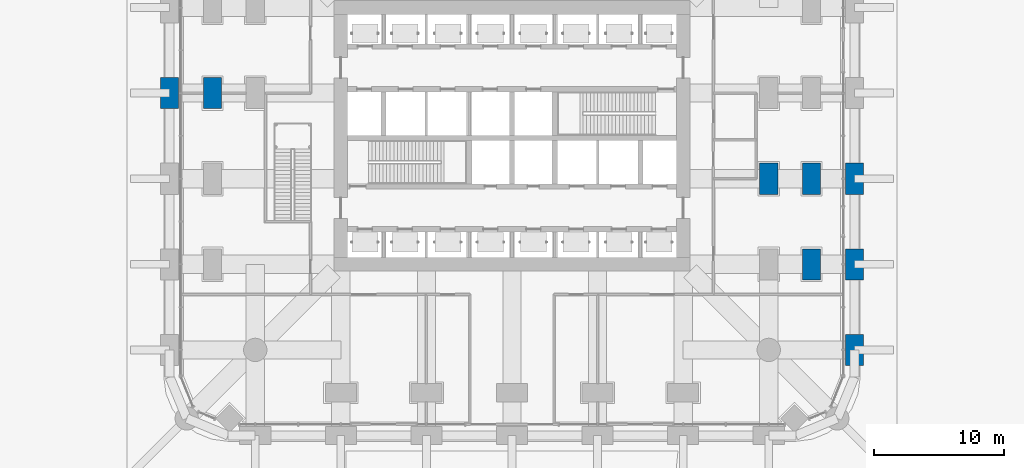
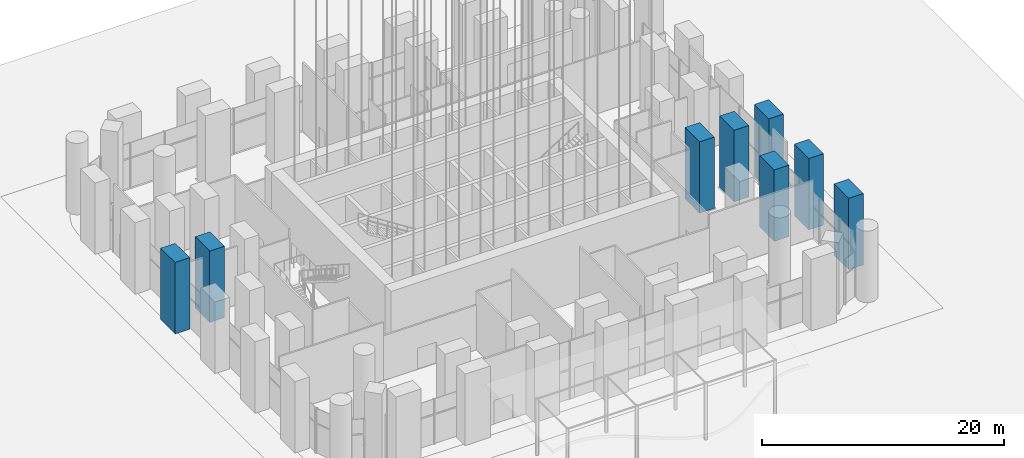
# One storey, part 5 of 32: 8 columns.
"""IFC4 building model written with IfcOpenShell, lengths in metres."""

from ifc_helpers import new_model, si_unit, direction, frame, origin, origin_2d, place, context, subcontext, project, spatial, rectangle, extrude, material, material_profile, profile_set, type_object, element, save


model = new_model("IFC4")

# Units and contexts
model_context = context("Model", 3, precision=1e-05, world=origin(), true_north=direction((0.0, 1.0)))
body_context = subcontext(model_context, "Body", "Model", "MODEL_VIEW")
ifc_project = project(units=[si_unit("LENGTHUNIT", "METRE"), si_unit("AREAUNIT", "SQUARE_METRE"), si_unit("VOLUMEUNIT", "CUBIC_METRE"), si_unit("PLANEANGLEUNIT", "RADIAN"), si_unit("MASSUNIT", "GRAM", prefix="KILO")], contexts=[model_context])

# Site, building, storey
site_placement = place(None, origin())
site = spatial("IfcSite", under=ifc_project, at=site_placement, CompositionType="ELEMENT")
building_placement = place(site_placement, origin())
building = spatial("IfcBuilding", under=site, at=building_placement, Name="Cobogo Forest Laboratory Tower", CompositionType="ELEMENT")
storey_placement = place(building_placement, origin())
storey = spatial("IfcBuildingStorey", under=building, at=storey_placement, Name="L00", CompositionType="ELEMENT", Elevation=0.0)

# Columns
ifc_material = material(Name="Concrete HA-50 (C50/60)", Category="concrete")
ifc_material_profile = material_profile(ifc_material, rectangle(XDim=2.39990234375, YDim=1.39990234375, at=origin_2d()), Name="RC 1400x2400")
ifc_profile_set = profile_set([ifc_material_profile], Name="Concrete HA-50 (C50/60)")
column_type = type_object("IfcColumnType", Name="Blade column 1400x2400", PredefinedType="COLUMN", material=ifc_profile_set)
for number, where, z_axis, x_axis, name in (
    (1, (52.800048828125, 6.60009765625, 0.0), (0.0, 0.0, 1.0), (0.0, 1.0, 0.0), "Column 9-B L00"),
    (2, (52.800048828125, 13.199951171875, 0.0), (0.0, 0.0, 1.0), (0.0, 1.0, 0.0), "Column 9-C L00"),
    (3, (52.800048828125, 19.800048828125, 0.0), (0.0, 0.0, 1.0), (0.0, 1.0, 0.0), "Column 9-D L00"),
    (4, (0.0, 26.39990234375, 0.0), (0.0, 0.0, 1.0), (0.0, 1.0, 0.0), "Column 1-E L00"),
    (5, (49.5, 13.199951171875, 0.0), (0.0, 0.0, 1.0), (0.0, 1.0, 0.0), "Column 8.1-C-B L00"),
    (6, (49.5, 19.800048828125, 0.0), (0.0, 0.0, 1.0), (0.0, 1.0, 0.0), "Column 8.1-D-B L00"),
    (7, (3.300048828125, 26.39990234375, 0.0), (0.0, 0.0, 1.0), (0.0, 1.0, 0.0), "Column 1.1-E-B L00"),
    (8, (46.199951171875, 19.800048828125, 0.0), (0.0, 0.0, 1.0), (0.0, 1.0, 0.0), "Column 8-D-D L00"),
):
    element("IfcColumn", number, at=place(storey_placement, frame(where, z_axis=z_axis, x_axis=x_axis)), inside=storey, type_object=column_type, Name=name, PredefinedType="COLUMN", context=body_context, shape_type="SweptSolid", body=[
        extrude(rectangle(XDim=2.39990234375, YDim=1.39990234375, at=origin_2d()), origin(), (0.0, 0.0, 1.0), 7.199951171875),
    ])

save(model, "model.ifc")
